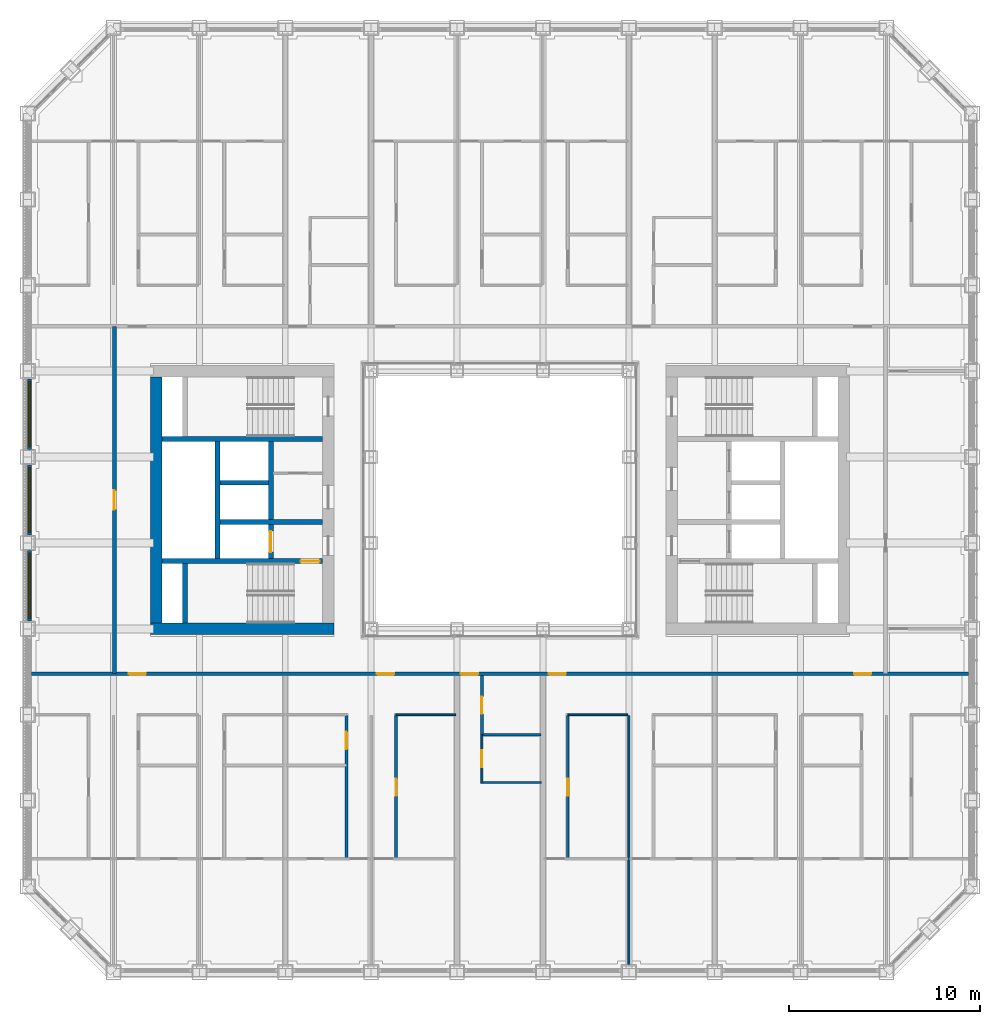
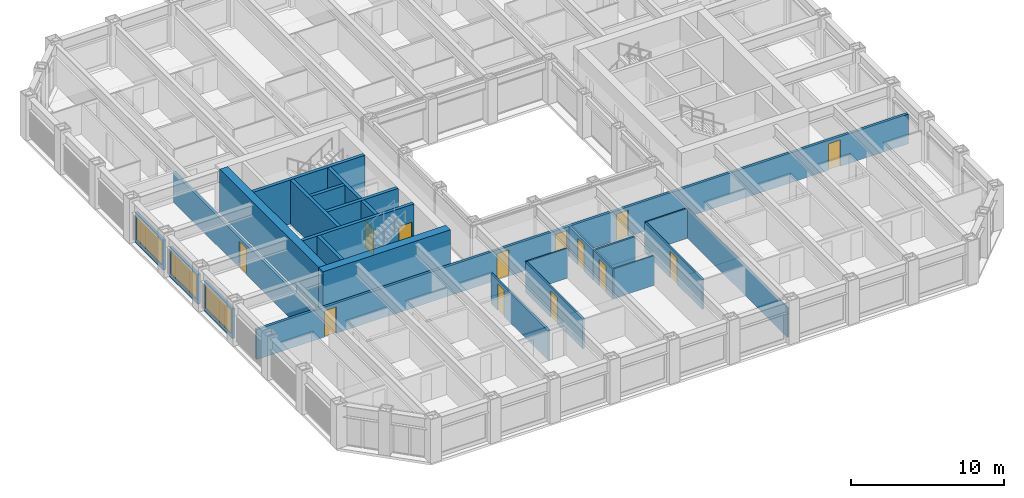
# One storey, part 10 of 20: 24 walls, 13 doors, 3 windows, 16 openings.
"""IFC4 building model written with IfcOpenShell, lengths in metres."""

from ifc_helpers import new_model, si_unit, direction, frame, frame_2d, origin, place, context, subcontext, project, spatial, rectangle, extrude, material, layer, layer_set, type_object, element, fill, save


model = new_model("IFC4")

# Units and contexts
model_context = context("Model", 3, precision=1e-05, world=origin(), true_north=direction((0.0, 1.0)))
body_context = subcontext(model_context, "Body", "Model", "MODEL_VIEW")
ifc_project = project(units=[si_unit("LENGTHUNIT", "METRE"), si_unit("AREAUNIT", "SQUARE_METRE"), si_unit("VOLUMEUNIT", "CUBIC_METRE"), si_unit("PLANEANGLEUNIT", "RADIAN"), si_unit("MASSUNIT", "GRAM", prefix="KILO")], contexts=[model_context])

# Site, building, storey
site_placement = place(None, origin())
site = spatial("IfcSite", under=ifc_project, at=site_placement, CompositionType="ELEMENT")
building_placement = place(site_placement, origin())
building = spatial("IfcBuilding", under=site, at=building_placement, Name="Msasa Ring Tower", CompositionType="ELEMENT")
storey_placement = place(building_placement, frame((0.0, 0.0, 58.0)))
storey = spatial("IfcBuildingStorey", under=building, at=storey_placement, Name="L14", CompositionType="ELEMENT", Elevation=58.0)

# Walls
ifc_material_1 = material(Name="Concrete C60/75", Category="concrete")
ifc_layer_1 = layer(ifc_material_1, 0.60009765625)
ifc_layer_set_1 = layer_set([ifc_layer_1], Name="CW1 CORE WALL 600")
wall_type_1 = type_object("IfcWallType", Name="CW1 CORE WALL 600", PredefinedType="SHEAR", material=ifc_layer_set_1)
wall_1_placement = place(storey_placement, frame((-8.699951171875, -6.75, 0.0), z_axis=(0.0, 0.0, 1.0), x_axis=(-1.0, 0.0, 0.0)))
element("IfcWall", 1, at=wall_1_placement, inside=storey, type_object=wall_type_1, Name="W core wall S L14", PredefinedType="SHEAR", context=body_context, shape_type="SweptSolid", body=[
    extrude(rectangle(XDim=9.60009765625, YDim=0.60009765625, at=frame_2d((4.800048828125, 0.0))), origin(), (0.0, 0.0, 1.0), 3.5),
])
wall_2_placement = place(storey_placement, frame((-18.0, -6.449951171875, 0.0), z_axis=(0.0, 0.0, 1.0), x_axis=(0.0, 1.0, 0.0)))
element("IfcWall", 2, at=wall_2_placement, inside=storey, type_object=wall_type_1, Name="W core wall E L14", PredefinedType="SHEAR", context=body_context, shape_type="SweptSolid", body=[
    extrude(rectangle(XDim=12.89990234375, YDim=0.60009765625, at=frame_2d((6.449951171875, 0.0))), origin(), (0.0, 0.0, 1.0), 3.5),
])

# Wall, opening, door
ifc_material_2 = material(Name="Concrete C60/75", Category="concrete")
ifc_layer_2 = layer(ifc_material_2, 0.25)
ifc_layer_set_2 = layer_set([ifc_layer_2], Name="CW4 CORE INNER WALL 250")
wall_type_2 = type_object("IfcWallType", Name="CW4 CORE INNER WALL 250", PredefinedType="SHEAR", material=ifc_layer_set_2)
wall_3_placement = place(storey_placement, frame((-9.300048828125, -3.199951171875, 0.0), z_axis=(0.0, 0.0, 1.0), x_axis=(-1.0, 0.0, 0.0)))
wall_3 = element("IfcWall", 3, at=wall_3_placement, inside=storey, type_object=wall_type_2, Name="W core wall STAIRA L14", PredefinedType="SHEAR", context=body_context, shape_type="SweptSolid", body=[
    extrude(rectangle(XDim=8.39990234375, YDim=0.25, at=frame_2d((4.199951171875, 0.0))), origin(), (0.0, 0.0, 1.0), 3.5),
])
opening_1_placement = place(wall_3_placement, frame((0.14990234375, 0.0, 0.0)))
opening_1 = element("IfcOpeningElement", 4, at=opening_1_placement, cuts=wall_3, Name="Opening RD-044", PredefinedType="OPENING", context=body_context, shape_type="SweptSolid", body=[
    extrude(rectangle(XDim=1.0, YDim=2.10009765625, at=frame_2d((0.5, 1.050048828125))), frame((0.0, 0.135009765625, 0.0), z_axis=(0.0, -1.0, 0.0), x_axis=(1.0, 0.0, 0.0)), (0.0, 0.0, 1.0), 0.27001953125),
])
ifc_material_3 = material(Name="Timber door leaf in a steel frame", Category="steel")
door_type_1 = type_object("IfcDoorType", Name="D6 STAIR DOOR 1000x2100", OperationType="SINGLE_SWING_LEFT", PredefinedType="DOOR", material=ifc_material_3)
door_1_placement = place(opening_1_placement, origin())
door_1 = element("IfcDoor", 5, at=door_1_placement, inside=storey, type_object=door_type_1, Name="Door L14-WSTA", OperationType="SINGLE_SWING_LEFT", OverallHeight=2.10009765625, OverallWidth=1.0, PredefinedType="DOOR", context=body_context, shape_type="SweptSolid", body=[
    extrude(rectangle(XDim=1.0, YDim=2.10009765625, at=frame_2d((0.5, 1.050048828125))), frame((0.0, 0.02490234375, 0.0), z_axis=(0.0, -1.0, 0.0), x_axis=(1.0, 0.0, 0.0)), (0.0, 0.0, 1.0), 0.050048828125),
])
fill(opening_1, door_1)

# Walls
wall_4_placement = place(storey_placement, frame((-9.300048828125, 3.199951171875, 0.0), z_axis=(0.0, 0.0, 1.0), x_axis=(-1.0, 0.0, 0.0)))
element("IfcWall", 6, at=wall_4_placement, inside=storey, type_object=wall_type_2, Name="W core wall STAIRB L14", PredefinedType="SHEAR", context=body_context, shape_type="SweptSolid", body=[
    extrude(rectangle(XDim=8.39990234375, YDim=0.25, at=frame_2d((4.199951171875, 0.0))), origin(), (0.0, 0.0, 1.0), 3.5),
])
wall_5_placement = place(storey_placement, frame((-16.5, -6.449951171875, 0.0), z_axis=(0.0, 0.0, 1.0), x_axis=(0.0, 1.0, 0.0)))
element("IfcWall", 7, at=wall_5_placement, inside=storey, type_object=wall_type_2, Name="W core wall RISERA L14", PredefinedType="SHEAR", context=body_context, shape_type="SweptSolid", body=[
    extrude(rectangle(XDim=3.125, YDim=0.25, at=frame_2d((1.5625, 0.0))), origin(), (0.0, 0.0, 1.0), 3.5),
])
wall_6_placement = place(storey_placement, frame((-9.300048828125, -1.14990234375, 0.0), z_axis=(0.0, 0.0, 1.0), x_axis=(-1.0, 0.0, 0.0)))
element("IfcWall", 8, at=wall_6_placement, inside=storey, type_object=wall_type_2, Name="W core wall FFL L14", PredefinedType="SHEAR", context=body_context, shape_type="SweptSolid", body=[
    extrude(rectangle(XDim=5.375, YDim=0.25, at=frame_2d((2.6875, 0.0))), origin(), (0.0, 0.0, 1.0), 3.5),
])

# Wall, opening, door
wall_7_placement = place(storey_placement, frame((-12.0, -3.074951171875, 0.0), z_axis=(0.0, 0.0, 1.0), x_axis=(0.0, 1.0, 0.0)))
wall_7 = element("IfcWall", 9, at=wall_7_placement, inside=storey, type_object=wall_type_2, Name="W core wall LOBBY L14", PredefinedType="SHEAR", context=body_context, shape_type="SweptSolid", body=[
    extrude(rectangle(XDim=6.14990234375, YDim=0.25, at=frame_2d((3.074951171875, 0.0))), origin(), (0.0, 0.0, 1.0), 3.5),
])
opening_2_placement = place(wall_7_placement, frame((0.35009765625, 0.0, 0.0)))
opening_2 = element("IfcOpeningElement", 10, at=opening_2_placement, cuts=wall_7, Name="Opening LD1", PredefinedType="OPENING", context=body_context, shape_type="SweptSolid", body=[
    extrude(rectangle(XDim=1.10009765625, YDim=2.10009765625, at=frame_2d((0.550048828125, 1.050048828125))), frame((0.0, 0.135009765625, 0.0), z_axis=(0.0, -1.0, 0.0), x_axis=(1.0, 0.0, 0.0)), (0.0, 0.0, 1.0), 0.27001953125),
])
ifc_material_4 = material(Name="Stainless steel lift landing door", Category="steel")
door_type_2 = type_object("IfcDoorType", Name="LD1 LIFT LANDING DOOR 1100x2100", OperationType="DOUBLE_DOOR_SLIDING", PredefinedType="DOOR", material=ifc_material_4)
door_2_placement = place(opening_2_placement, origin())
door_2 = element("IfcDoor", 11, at=door_2_placement, inside=storey, type_object=door_type_2, Name="Lift landing door FL-W L14", OperationType="DOUBLE_DOOR_SLIDING", OverallHeight=2.10009765625, OverallWidth=1.10009765625, PredefinedType="DOOR", context=body_context, shape_type="SweptSolid", body=[
    extrude(rectangle(XDim=1.10009765625, YDim=2.10009765625, at=frame_2d((0.550048828125, 1.050048828125))), frame((0.0, 0.02490234375, 0.0), z_axis=(0.0, -1.0, 0.0), x_axis=(1.0, 0.0, 0.0)), (0.0, 0.0, 1.0), 0.050048828125),
])
fill(opening_2, door_2)

# Walls
wall_8_placement = place(storey_placement, frame((-14.800048828125, -3.074951171875, 0.0), z_axis=(0.0, 0.0, 1.0), x_axis=(0.0, 1.0, 0.0)))
element("IfcWall", 12, at=wall_8_placement, inside=storey, type_object=wall_type_2, Name="W core wall SHAFT L14", PredefinedType="SHEAR", context=body_context, shape_type="SweptSolid", body=[
    extrude(rectangle(XDim=6.14990234375, YDim=0.25, at=frame_2d((3.074951171875, 0.0))), origin(), (0.0, 0.0, 1.0), 3.5),
])
wall_9_placement = place(storey_placement, frame((-12.125, 0.89990234375, 0.0), z_axis=(0.0, 0.0, 1.0), x_axis=(-1.0, 0.0, 0.0)))
element("IfcWall", 13, at=wall_9_placement, inside=storey, type_object=wall_type_2, Name="W core wall LIFT1 L14", PredefinedType="SHEAR", context=body_context, shape_type="SweptSolid", body=[
    extrude(rectangle(XDim=2.550048828125, YDim=0.25, at=frame_2d((1.27490234375, 0.0))), origin(), (0.0, 0.0, 1.0), 3.5),
])

# Wall, opening, window
ifc_material_5 = material(Name="Terracotta rainscreen on blockwork", Category="masonry")
ifc_layer_3 = layer(ifc_material_5, 0.199951171875)
ifc_layer_set_3 = layer_set([ifc_layer_3], Name="FW1 TERRACOTTA-LINED INFILL BAY WALL 200")
wall_type_3 = type_object("IfcWallType", Name="FW1 TERRACOTTA-LINED INFILL BAY WALL 200", PredefinedType="SOLIDWALL", material=ifc_layer_set_3)
wall_10_placement = place(storey_placement, frame((-24.64990234375, -6.344970703125, 0.0), z_axis=(0.0, 0.0, 1.0), x_axis=(0.0, 1.0, 0.0)))
wall_10 = element("IfcWall", 14, at=wall_10_placement, inside=storey, type_object=wall_type_3, Name="Infill bay wall W L14 36", PredefinedType="SOLIDWALL", context=body_context, shape_type="SweptSolid", body=[
    extrude(rectangle(XDim=3.68994140625, YDim=0.199951171875, at=frame_2d((1.844970703125, 0.0))), origin(), (0.0, 0.0, 1.0), 2.37890625),
])
opening_3_placement = place(wall_10_placement, frame((0.14501953125, 0.0, 0.300048828125)))
opening_3 = element("IfcOpeningElement", 15, at=opening_3_placement, cuts=wall_10, Name="Opening WN1", PredefinedType="OPENING", context=body_context, shape_type="SweptSolid", body=[
    extrude(rectangle(XDim=3.39990234375, YDim=1.928955078125, at=frame_2d((1.699951171875, 0.96435546875))), frame((0.0, 0.10986328125, 0.0), z_axis=(0.0, -1.0, 0.0), x_axis=(1.0, 0.0, 0.0)), (0.0, 0.0, 1.0), 0.219970703125),
])
ifc_material_6 = material(Name="Aluminium frame with clear glass", Category="aluminium")
window_type = type_object("IfcWindowType", Name="WN1 RESIDENCE WINDOW 3400x1929", PartitioningType="SINGLE_PANEL", PredefinedType="WINDOW", material=ifc_material_6)
window_1_placement = place(opening_3_placement, origin())
window_1 = element("IfcWindow", 16, at=window_1_placement, inside=storey, type_object=window_type, Name="Window W L14 36", OverallHeight=1.928955078125, OverallWidth=3.39990234375, PartitioningType="SINGLE_PANEL", PredefinedType="WINDOW", context=body_context, shape_type="SweptSolid", body=[
    extrude(rectangle(XDim=3.39990234375, YDim=1.928955078125, at=frame_2d((1.699951171875, 0.96435546875))), frame((0.0, 0.030029296875, 0.0), z_axis=(0.0, -1.0, 0.0), x_axis=(1.0, 0.0, 0.0)), (0.0, 0.0, 1.0), 0.06005859375),
])
fill(opening_3, window_1)

wall_11_placement = place(storey_placement, frame((-24.64990234375, -1.844970703125, 0.0), z_axis=(0.0, 0.0, 1.0), x_axis=(0.0, 1.0, 0.0)))
wall_11 = element("IfcWall", 17, at=wall_11_placement, inside=storey, type_object=wall_type_3, Name="Infill bay wall W L14 37", PredefinedType="SOLIDWALL", context=body_context, shape_type="SweptSolid", body=[
    extrude(rectangle(XDim=3.68994140625, YDim=0.199951171875, at=frame_2d((1.844970703125, 0.0))), origin(), (0.0, 0.0, 1.0), 2.37890625),
])
opening_4_placement = place(wall_11_placement, frame((0.14501953125, 0.0, 0.300048828125)))
opening_4 = element("IfcOpeningElement", 18, at=opening_4_placement, cuts=wall_11, Name="Opening WN1", PredefinedType="OPENING", context=body_context, shape_type="SweptSolid", body=[
    extrude(rectangle(XDim=3.39990234375, YDim=1.928955078125, at=frame_2d((1.699951171875, 0.96435546875))), frame((0.0, 0.10986328125, 0.0), z_axis=(0.0, -1.0, 0.0), x_axis=(1.0, 0.0, 0.0)), (0.0, 0.0, 1.0), 0.219970703125),
])
window_2_placement = place(opening_4_placement, origin())
window_2 = element("IfcWindow", 19, at=window_2_placement, inside=storey, type_object=window_type, Name="Window W L14 37", OverallHeight=1.928955078125, OverallWidth=3.39990234375, PartitioningType="SINGLE_PANEL", PredefinedType="WINDOW", context=body_context, shape_type="SweptSolid", body=[
    extrude(rectangle(XDim=3.39990234375, YDim=1.928955078125, at=frame_2d((1.699951171875, 0.96435546875))), frame((0.0, 0.030029296875, 0.0), z_axis=(0.0, -1.0, 0.0), x_axis=(1.0, 0.0, 0.0)), (0.0, 0.0, 1.0), 0.06005859375),
])
fill(opening_4, window_2)

wall_12_placement = place(storey_placement, frame((-24.64990234375, 2.655029296875, 0.0), z_axis=(0.0, 0.0, 1.0), x_axis=(0.0, 1.0, 0.0)))
wall_12 = element("IfcWall", 20, at=wall_12_placement, inside=storey, type_object=wall_type_3, Name="Infill bay wall W L14 38", PredefinedType="SOLIDWALL", context=body_context, shape_type="SweptSolid", body=[
    extrude(rectangle(XDim=3.68994140625, YDim=0.199951171875, at=frame_2d((1.844970703125, 0.0))), origin(), (0.0, 0.0, 1.0), 2.37890625),
])
opening_5_placement = place(wall_12_placement, frame((0.14501953125, 0.0, 0.300048828125)))
opening_5 = element("IfcOpeningElement", 21, at=opening_5_placement, cuts=wall_12, Name="Opening WN1", PredefinedType="OPENING", context=body_context, shape_type="SweptSolid", body=[
    extrude(rectangle(XDim=3.39990234375, YDim=1.928955078125, at=frame_2d((1.699951171875, 0.96435546875))), frame((0.0, 0.10986328125, 0.0), z_axis=(0.0, -1.0, 0.0), x_axis=(1.0, 0.0, 0.0)), (0.0, 0.0, 1.0), 0.219970703125),
])
window_3_placement = place(opening_5_placement, origin())
window_3 = element("IfcWindow", 22, at=window_3_placement, inside=storey, type_object=window_type, Name="Window W L14 38", OverallHeight=1.928955078125, OverallWidth=3.39990234375, PartitioningType="SINGLE_PANEL", PredefinedType="WINDOW", context=body_context, shape_type="SweptSolid", body=[
    extrude(rectangle(XDim=3.39990234375, YDim=1.928955078125, at=frame_2d((1.699951171875, 0.96435546875))), frame((0.0, 0.030029296875, 0.0), z_axis=(0.0, -1.0, 0.0), x_axis=(1.0, 0.0, 0.0)), (0.0, 0.0, 1.0), 0.06005859375),
])
fill(opening_5, window_3)

# Wall, openings, doors
ifc_material_7 = material(Name="Concrete blockwork", Category="masonry")
ifc_layer_4 = layer(ifc_material_7, 0.199951171875)
ifc_layer_set_4 = layer_set([ifc_layer_4], Name="PT1 CORRIDOR WALL 200")
wall_type_4 = type_object("IfcWallType", Name="PT1 CORRIDOR WALL 200", PredefinedType="PARTITIONING", material=ifc_layer_set_4)
wall_13_placement = place(storey_placement, frame((-24.550048828125, -9.10009765625, 0.0), z_axis=(0.0, 0.0, 1.0), x_axis=(1.0, 0.0, 0.0)))
wall_13 = element("IfcWall", 23, at=wall_13_placement, inside=storey, type_object=wall_type_4, Name="Corridor wall L14-CORRS0", PredefinedType="PARTITIONING", context=body_context, shape_type="SweptSolid", body=[
    extrude(rectangle(XDim=49.10009765625, YDim=0.199951171875, at=frame_2d((24.550048828125, 0.0))), origin(), (0.0, 0.0, 1.0), 2.373291015625),
])
opening_6_placement = place(wall_13_placement, frame((5.10009765625, 0.0, 0.0)))
opening_6 = element("IfcOpeningElement", 24, at=opening_6_placement, cuts=wall_13, Name="Opening RD-047", PredefinedType="OPENING", context=body_context, shape_type="SweptSolid", body=[
    extrude(rectangle(XDim=0.89990234375, YDim=2.10009765625, at=frame_2d((0.449951171875, 1.050048828125))), frame((0.0, 0.10986328125, 0.0), z_axis=(0.0, -1.0, 0.0), x_axis=(1.0, 0.0, 0.0)), (0.0, 0.0, 1.0), 0.219970703125),
])
opening_7_placement = place(wall_13_placement, frame((18.10009765625, 0.0, 0.0)))
opening_7 = element("IfcOpeningElement", 25, at=opening_7_placement, cuts=wall_13, Name="Opening RD-048", PredefinedType="OPENING", context=body_context, shape_type="SweptSolid", body=[
    extrude(rectangle(XDim=0.89990234375, YDim=2.10009765625, at=frame_2d((0.449951171875, 1.050048828125))), frame((0.0, 0.10986328125, 0.0), z_axis=(0.0, -1.0, 0.0), x_axis=(1.0, 0.0, 0.0)), (0.0, 0.0, 1.0), 0.219970703125),
])
opening_8_placement = place(wall_13_placement, frame((22.5, 0.0, 0.0)))
opening_8 = element("IfcOpeningElement", 26, at=opening_8_placement, cuts=wall_13, Name="Opening RD-049", PredefinedType="OPENING", context=body_context, shape_type="SweptSolid", body=[
    extrude(rectangle(XDim=0.89990234375, YDim=2.10009765625, at=frame_2d((0.449951171875, 1.050048828125))), frame((0.0, 0.10986328125, 0.0), z_axis=(0.0, -1.0, 0.0), x_axis=(1.0, 0.0, 0.0)), (0.0, 0.0, 1.0), 0.219970703125),
])
opening_9_placement = place(wall_13_placement, frame((27.10009765625, 0.0, 0.0)))
opening_9 = element("IfcOpeningElement", 27, at=opening_9_placement, cuts=wall_13, Name="Opening RD-050", PredefinedType="OPENING", context=body_context, shape_type="SweptSolid", body=[
    extrude(rectangle(XDim=0.89990234375, YDim=2.10009765625, at=frame_2d((0.449951171875, 1.050048828125))), frame((0.0, 0.10986328125, 0.0), z_axis=(0.0, -1.0, 0.0), x_axis=(1.0, 0.0, 0.0)), (0.0, 0.0, 1.0), 0.219970703125),
])
opening_10_placement = place(wall_13_placement, frame((43.10009765625, 0.0, 0.0)))
opening_10 = element("IfcOpeningElement", 28, at=opening_10_placement, cuts=wall_13, Name="Opening RD-051", PredefinedType="OPENING", context=body_context, shape_type="SweptSolid", body=[
    extrude(rectangle(XDim=0.89990234375, YDim=2.10009765625, at=frame_2d((0.449951171875, 1.050048828125))), frame((0.0, 0.10986328125, 0.0), z_axis=(0.0, -1.0, 0.0), x_axis=(1.0, 0.0, 0.0)), (0.0, 0.0, 1.0), 0.219970703125),
])
ifc_material_8 = material(Name="Timber door leaf in a steel frame", Category="steel")
door_type_3 = type_object("IfcDoorType", Name="D2 ENTRANCE DOOR 900x2100", OperationType="SINGLE_SWING_LEFT", PredefinedType="DOOR", material=ifc_material_8)
door_3_placement = place(opening_6_placement, origin())
door_3 = element("IfcDoor", 29, at=door_3_placement, inside=storey, type_object=door_type_3, Name="Door L14-US00", OperationType="SINGLE_SWING_LEFT", OverallHeight=2.10009765625, OverallWidth=0.89990234375, PredefinedType="DOOR", context=body_context, shape_type="SweptSolid", body=[
    extrude(rectangle(XDim=0.89990234375, YDim=2.10009765625, at=frame_2d((0.449951171875, 1.050048828125))), frame((0.0, 0.02490234375, 0.0), z_axis=(0.0, -1.0, 0.0), x_axis=(1.0, 0.0, 0.0)), (0.0, 0.0, 1.0), 0.050048828125),
])
fill(opening_6, door_3)
door_4_placement = place(opening_7_placement, origin())
door_4 = element("IfcDoor", 30, at=door_4_placement, inside=storey, type_object=door_type_3, Name="Door L14-US01", OperationType="SINGLE_SWING_LEFT", OverallHeight=2.10009765625, OverallWidth=0.89990234375, PredefinedType="DOOR", context=body_context, shape_type="SweptSolid", body=[
    extrude(rectangle(XDim=0.89990234375, YDim=2.10009765625, at=frame_2d((0.449951171875, 1.050048828125))), frame((0.0, 0.02490234375, 0.0), z_axis=(0.0, -1.0, 0.0), x_axis=(1.0, 0.0, 0.0)), (0.0, 0.0, 1.0), 0.050048828125),
])
fill(opening_7, door_4)
door_5_placement = place(opening_8_placement, origin())
door_5 = element("IfcDoor", 31, at=door_5_placement, inside=storey, type_object=door_type_3, Name="Door L14-US02", OperationType="SINGLE_SWING_LEFT", OverallHeight=2.10009765625, OverallWidth=0.89990234375, PredefinedType="DOOR", context=body_context, shape_type="SweptSolid", body=[
    extrude(rectangle(XDim=0.89990234375, YDim=2.10009765625, at=frame_2d((0.449951171875, 1.050048828125))), frame((0.0, 0.02490234375, 0.0), z_axis=(0.0, -1.0, 0.0), x_axis=(1.0, 0.0, 0.0)), (0.0, 0.0, 1.0), 0.050048828125),
])
fill(opening_8, door_5)
door_6_placement = place(opening_9_placement, origin())
door_6 = element("IfcDoor", 32, at=door_6_placement, inside=storey, type_object=door_type_3, Name="Door L14-US03", OperationType="SINGLE_SWING_RIGHT", OverallHeight=2.10009765625, OverallWidth=0.89990234375, PredefinedType="DOOR", context=body_context, shape_type="SweptSolid", body=[
    extrude(rectangle(XDim=0.89990234375, YDim=2.10009765625, at=frame_2d((0.449951171875, 1.050048828125))), frame((0.0, 0.02490234375, 0.0), z_axis=(0.0, -1.0, 0.0), x_axis=(1.0, 0.0, 0.0)), (0.0, 0.0, 1.0), 0.050048828125),
])
fill(opening_9, door_6)
door_7_placement = place(opening_10_placement, origin())
door_7 = element("IfcDoor", 33, at=door_7_placement, inside=storey, type_object=door_type_3, Name="Door L14-US04", OperationType="SINGLE_SWING_RIGHT", OverallHeight=2.10009765625, OverallWidth=0.89990234375, PredefinedType="DOOR", context=body_context, shape_type="SweptSolid", body=[
    extrude(rectangle(XDim=0.89990234375, YDim=2.10009765625, at=frame_2d((0.449951171875, 1.050048828125))), frame((0.0, 0.02490234375, 0.0), z_axis=(0.0, -1.0, 0.0), x_axis=(1.0, 0.0, 0.0)), (0.0, 0.0, 1.0), 0.050048828125),
])
fill(opening_10, door_7)

# Wall, opening, door
wall_14_placement = place(storey_placement, frame((-20.199951171875, -9.10009765625, 0.0), z_axis=(0.0, 0.0, 1.0), x_axis=(0.0, 1.0, 0.0)))
wall_14 = element("IfcWall", 34, at=wall_14_placement, inside=storey, type_object=wall_type_4, Name="Corridor wall L14-STRW", PredefinedType="PARTITIONING", context=body_context, shape_type="SweptSolid", body=[
    extrude(rectangle(XDim=18.2001953125, YDim=0.199951171875, at=frame_2d((9.10009765625, 0.0))), origin(), (0.0, 0.0, 1.0), 2.373291015625),
])
opening_11_placement = place(wall_14_placement, frame((8.60009765625, 0.0, 0.0)))
opening_11 = element("IfcOpeningElement", 35, at=opening_11_placement, cuts=wall_14, Name="Opening RD-040", PredefinedType="OPENING", context=body_context, shape_type="SweptSolid", body=[
    extrude(rectangle(XDim=1.0, YDim=2.10009765625, at=frame_2d((0.5, 1.050048828125))), frame((0.0, 0.10986328125, 0.0), z_axis=(0.0, -1.0, 0.0), x_axis=(1.0, 0.0, 0.0)), (0.0, 0.0, 1.0), 0.219970703125),
])
ifc_material_9 = material(Name="Timber door leaf in a steel frame", Category="steel")
door_type_4 = type_object("IfcDoorType", Name="D10 STORE DOOR 1000x2100", OperationType="SINGLE_SWING_LEFT", PredefinedType="DOOR", material=ifc_material_9)
door_8_placement = place(opening_11_placement, origin())
door_8 = element("IfcDoor", 36, at=door_8_placement, inside=storey, type_object=door_type_4, Name="Door L14-RSW", OperationType="SINGLE_SWING_LEFT", OverallHeight=2.10009765625, OverallWidth=1.0, PredefinedType="DOOR", context=body_context, shape_type="SweptSolid", body=[
    extrude(rectangle(XDim=1.0, YDim=2.10009765625, at=frame_2d((0.5, 1.050048828125))), frame((0.0, 0.02490234375, 0.0), z_axis=(0.0, -1.0, 0.0), x_axis=(1.0, 0.0, 0.0)), (0.0, 0.0, 1.0), 0.050048828125),
])
fill(opening_11, door_8)

# Walls
ifc_material_10 = material(Name="Gypsum board on steel studs", Category="steel")
ifc_layer_5 = layer(ifc_material_10, 0.10009765625)
ifc_layer_set_5 = layer_set([ifc_layer_5], Name="PT2 STUD PARTITION 100")
wall_type_5 = type_object("IfcWallType", Name="PT2 STUD PARTITION 100", PredefinedType="PARTITIONING", material=ifc_layer_set_5)
wall_15_placement = place(storey_placement, frame((-5.449951171875, -11.25, 0.0), z_axis=(0.0, 0.0, 1.0), x_axis=(1.0, 0.0, 0.0)))
element("IfcWall", 37, at=wall_15_placement, inside=storey, type_object=wall_type_5, Name="Partition L14-US01HY0", PredefinedType="PARTITIONING", context=body_context, shape_type="SweptSolid", body=[
    extrude(rectangle(XDim=3.139892578125, YDim=0.10009765625, at=frame_2d((1.56982421875, 0.0))), origin(), (0.0, 0.0, 1.0), 2.373291015625),
])
wall_16_placement = place(storey_placement, frame((-0.89990234375, -14.800048828125, 0.0), z_axis=(0.0, 0.0, 1.0), x_axis=(1.0, 0.0, 0.0)))
element("IfcWall", 38, at=wall_16_placement, inside=storey, type_object=wall_type_5, Name="Partition L14-US02KY", PredefinedType="PARTITIONING", context=body_context, shape_type="SweptSolid", body=[
    extrude(rectangle(XDim=3.0498046875, YDim=0.10009765625, at=frame_2d((1.52490234375, 0.0))), origin(), (0.0, 0.0, 1.0), 2.373291015625),
])

# Wall, opening, door
wall_17_placement = place(storey_placement, frame((-0.949951171875, -14.85009765625, 0.0), z_axis=(0.0, 0.0, 1.0), x_axis=(0.0, 1.0, 0.0)))
wall_17 = element("IfcWall", 39, at=wall_17_placement, inside=storey, type_object=wall_type_5, Name="Partition L14-US02KX", PredefinedType="PARTITIONING", context=body_context, shape_type="SweptSolid", body=[
    extrude(rectangle(XDim=2.550048828125, YDim=0.10009765625, at=frame_2d((1.27490234375, 0.0))), origin(), (0.0, 0.0, 1.0), 2.373291015625),
])
opening_12_placement = place(wall_17_placement, frame((0.840087890625, 0.0, 0.0)))
opening_12 = element("IfcOpeningElement", 40, at=opening_12_placement, cuts=wall_17, Name="Opening RD-059", PredefinedType="OPENING", context=body_context, shape_type="SweptSolid", body=[
    extrude(rectangle(XDim=0.89990234375, YDim=2.10009765625, at=frame_2d((0.449951171875, 1.050048828125))), frame((0.0, 0.06005859375, 0.0), z_axis=(0.0, -1.0, 0.0), x_axis=(1.0, 0.0, 0.0)), (0.0, 0.0, 1.0), 0.1201171875),
])
ifc_material_11 = material(Name="Timber door leaf in a steel frame", Category="steel")
door_type_5 = type_object("IfcDoorType", Name="D22 INTERNAL HALL DOOR 900x2100", OperationType="SINGLE_SWING_LEFT", PredefinedType="DOOR", material=ifc_material_11)
door_9_placement = place(opening_12_placement, origin())
door_9 = element("IfcDoor", 41, at=door_9_placement, inside=storey, type_object=door_type_5, Name="Door L14-US02K", OperationType="SINGLE_SWING_LEFT", OverallHeight=2.10009765625, OverallWidth=0.89990234375, PredefinedType="DOOR", context=body_context, shape_type="SweptSolid", body=[
    extrude(rectangle(XDim=0.89990234375, YDim=2.10009765625, at=frame_2d((0.449951171875, 1.050048828125))), frame((0.0, 0.02490234375, 0.0), z_axis=(0.0, -1.0, 0.0), x_axis=(1.0, 0.0, 0.0)), (0.0, 0.0, 1.0), 0.050048828125),
])
fill(opening_12, door_9)

# Walls
wall_18_placement = place(storey_placement, frame((3.550048828125, -11.25, 0.0), z_axis=(0.0, 0.0, 1.0), x_axis=(1.0, 0.0, 0.0)))
element("IfcWall", 42, at=wall_18_placement, inside=storey, type_object=wall_type_5, Name="Partition L14-US03HY0", PredefinedType="PARTITIONING", context=body_context, shape_type="SweptSolid", body=[
    extrude(rectangle(XDim=3.139892578125, YDim=0.10009765625, at=frame_2d((1.56982421875, 0.0))), origin(), (0.0, 0.0, 1.0), 2.373291015625),
])
wall_19_placement = place(storey_placement, frame((6.75, -24.35009765625, 0.0), z_axis=(0.0, 0.0, 1.0), x_axis=(0.0, 1.0, 0.0)))
element("IfcWall", 43, at=wall_19_placement, inside=storey, type_object=wall_type_5, Name="Partition L14-US03P1", PredefinedType="PARTITIONING", context=body_context, shape_type="SweptSolid", body=[
    extrude(rectangle(XDim=13.050048828125, YDim=0.10009765625, at=frame_2d((6.52490234375, 0.0))), origin(), (0.0, 0.0, 1.0), 2.373291015625),
])

# Wall, opening, door
ifc_material_12 = material(Name="Moisture-resistant board on steel studs with a concealed cistern and pipe void, tiled", Category="steel")
ifc_layer_6 = layer(ifc_material_12, 0.14990234375)
ifc_layer_set_6 = layer_set([ifc_layer_6], Name="PT4 BATHROOM WET WALL 150")
wall_type_6 = type_object("IfcWallType", Name="PT4 BATHROOM WET WALL 150", PredefinedType="PARTITIONING", material=ifc_layer_set_6)
wall_20_placement = place(storey_placement, frame((-5.449951171875, -18.800048828125, 0.0), z_axis=(0.0, 0.0, 1.0), x_axis=(0.0, 1.0, 0.0)))
wall_20 = element("IfcWall", 44, at=wall_20_placement, inside=storey, type_object=wall_type_6, Name="Partition L14-US01SX0", PredefinedType="PARTITIONING", context=body_context, shape_type="SweptSolid", body=[
    extrude(rectangle(XDim=7.5, YDim=0.14990234375, at=frame_2d((3.75, 0.0))), origin(), (0.0, 0.0, 1.0), 2.373291015625),
])
opening_13_placement = place(wall_20_placement, frame((3.300048828125, 0.0, 0.0)))
opening_13 = element("IfcOpeningElement", 45, at=opening_13_placement, cuts=wall_20, Name="Opening RD-061", PredefinedType="OPENING", context=body_context, shape_type="SweptSolid", body=[
    extrude(rectangle(XDim=0.89990234375, YDim=2.10009765625, at=frame_2d((0.449951171875, 1.050048828125))), frame((0.0, 0.0849609375, 0.0), z_axis=(0.0, -1.0, 0.0), x_axis=(1.0, 0.0, 0.0)), (0.0, 0.0, 1.0), 0.169921875),
])
door_10_placement = place(opening_13_placement, origin())
door_10 = element("IfcDoor", 46, at=door_10_placement, inside=storey, type_object=door_type_5, Name="Door L14-US01K", OperationType="SINGLE_SWING_LEFT", OverallHeight=2.10009765625, OverallWidth=0.89990234375, PredefinedType="DOOR", context=body_context, shape_type="SweptSolid", body=[
    extrude(rectangle(XDim=0.89990234375, YDim=2.10009765625, at=frame_2d((0.449951171875, 1.050048828125))), frame((0.0, 0.02490234375, 0.0), z_axis=(0.0, -1.0, 0.0), x_axis=(1.0, 0.0, 0.0)), (0.0, 0.0, 1.0), 0.050048828125),
])
fill(opening_13, door_10)

wall_21_placement = place(storey_placement, frame((-8.050048828125, -18.800048828125, 0.0), z_axis=(0.0, 0.0, 1.0), x_axis=(0.0, 1.0, 0.0)))
wall_21 = element("IfcWall", 47, at=wall_21_placement, inside=storey, type_object=wall_type_6, Name="Partition L14-US01SX1", PredefinedType="PARTITIONING", context=body_context, shape_type="SweptSolid", body=[
    extrude(rectangle(XDim=7.5, YDim=0.14990234375, at=frame_2d((3.75, 0.0))), origin(), (0.0, 0.0, 1.0), 2.373291015625),
])
opening_14_placement = place(wall_21_placement, frame((5.75, 0.0, 0.0)))
opening_14 = element("IfcOpeningElement", 48, at=opening_14_placement, cuts=wall_21, Name="Opening RD-055", PredefinedType="OPENING", context=body_context, shape_type="SweptSolid", body=[
    extrude(rectangle(XDim=0.89990234375, YDim=2.10009765625, at=frame_2d((0.449951171875, 1.050048828125))), frame((0.0, 0.0849609375, 0.0), z_axis=(0.0, -1.0, 0.0), x_axis=(1.0, 0.0, 0.0)), (0.0, 0.0, 1.0), 0.169921875),
])
ifc_material_13 = material(Name="Timber door leaf in a steel frame", Category="steel")
door_type_6 = type_object("IfcDoorType", Name="D3 BATHROOM DOOR 900x2100", OperationType="SINGLE_SWING_LEFT", PredefinedType="DOOR", material=ifc_material_13)
door_11_placement = place(opening_14_placement, origin())
door_11 = element("IfcDoor", 49, at=door_11_placement, inside=storey, type_object=door_type_6, Name="Door L14-US01B1", OperationType="SINGLE_SWING_RIGHT", OverallHeight=2.10009765625, OverallWidth=0.89990234375, PredefinedType="DOOR", context=body_context, shape_type="SweptSolid", body=[
    extrude(rectangle(XDim=0.89990234375, YDim=2.10009765625, at=frame_2d((0.449951171875, 1.050048828125))), frame((0.0, 0.02490234375, 0.0), z_axis=(0.0, -1.0, 0.0), x_axis=(1.0, 0.0, 0.0)), (0.0, 0.0, 1.0), 0.050048828125),
])
fill(opening_14, door_11)

wall_22_placement = place(storey_placement, frame((-0.949951171875, -12.35009765625, 0.0), z_axis=(0.0, 0.0, 1.0), x_axis=(0.0, 1.0, 0.0)))
wall_22 = element("IfcWall", 50, at=wall_22_placement, inside=storey, type_object=wall_type_6, Name="Partition L14-US02BX", PredefinedType="PARTITIONING", context=body_context, shape_type="SweptSolid", body=[
    extrude(rectangle(XDim=3.150146484375, YDim=0.14990234375, at=frame_2d((1.5751953125, 0.0))), origin(), (0.0, 0.0, 1.0), 2.373291015625),
])
opening_15_placement = place(wall_22_placement, frame((1.14990234375, 0.0, 0.0)))
opening_15 = element("IfcOpeningElement", 51, at=opening_15_placement, cuts=wall_22, Name="Opening RD-052", PredefinedType="OPENING", context=body_context, shape_type="SweptSolid", body=[
    extrude(rectangle(XDim=0.89990234375, YDim=2.10009765625, at=frame_2d((0.449951171875, 1.050048828125))), frame((0.0, 0.0849609375, 0.0), z_axis=(0.0, -1.0, 0.0), x_axis=(1.0, 0.0, 0.0)), (0.0, 0.0, 1.0), 0.169921875),
])
door_12_placement = place(opening_15_placement, origin())
door_12 = element("IfcDoor", 52, at=door_12_placement, inside=storey, type_object=door_type_6, Name="Door L14-US02B", OperationType="SINGLE_SWING_LEFT", OverallHeight=2.10009765625, OverallWidth=0.89990234375, PredefinedType="DOOR", context=body_context, shape_type="SweptSolid", body=[
    extrude(rectangle(XDim=0.89990234375, YDim=2.10009765625, at=frame_2d((0.449951171875, 1.050048828125))), frame((0.0, 0.02490234375, 0.0), z_axis=(0.0, -1.0, 0.0), x_axis=(1.0, 0.0, 0.0)), (0.0, 0.0, 1.0), 0.050048828125),
])
fill(opening_15, door_12)

# Wall
wall_23_placement = place(storey_placement, frame((-0.89990234375, -12.300048828125, 0.0), z_axis=(0.0, 0.0, 1.0), x_axis=(1.0, 0.0, 0.0)))
element("IfcWall", 53, at=wall_23_placement, inside=storey, type_object=wall_type_6, Name="Partition L14-US02BY", PredefinedType="PARTITIONING", context=body_context, shape_type="SweptSolid", body=[
    extrude(rectangle(XDim=3.0498046875, YDim=0.14990234375, at=frame_2d((1.52490234375, 0.0))), origin(), (0.0, 0.0, 1.0), 2.373291015625),
])

# Wall, opening, door
wall_24_placement = place(storey_placement, frame((3.550048828125, -18.800048828125, 0.0), z_axis=(0.0, 0.0, 1.0), x_axis=(0.0, 1.0, 0.0)))
wall_24 = element("IfcWall", 54, at=wall_24_placement, inside=storey, type_object=wall_type_6, Name="Partition L14-US03SX0", PredefinedType="PARTITIONING", context=body_context, shape_type="SweptSolid", body=[
    extrude(rectangle(XDim=7.5, YDim=0.14990234375, at=frame_2d((3.75, 0.0))), origin(), (0.0, 0.0, 1.0), 2.373291015625),
])
opening_16_placement = place(wall_24_placement, frame((3.300048828125, 0.0, 0.0)))
opening_16 = element("IfcOpeningElement", 55, at=opening_16_placement, cuts=wall_24, Name="Opening RD-062", PredefinedType="OPENING", context=body_context, shape_type="SweptSolid", body=[
    extrude(rectangle(XDim=0.89990234375, YDim=2.10009765625, at=frame_2d((0.449951171875, 1.050048828125))), frame((0.0, 0.0849609375, 0.0), z_axis=(0.0, -1.0, 0.0), x_axis=(1.0, 0.0, 0.0)), (0.0, 0.0, 1.0), 0.169921875),
])
door_13_placement = place(opening_16_placement, origin())
door_13 = element("IfcDoor", 56, at=door_13_placement, inside=storey, type_object=door_type_5, Name="Door L14-US03K", OperationType="SINGLE_SWING_LEFT", OverallHeight=2.10009765625, OverallWidth=0.89990234375, PredefinedType="DOOR", context=body_context, shape_type="SweptSolid", body=[
    extrude(rectangle(XDim=0.89990234375, YDim=2.10009765625, at=frame_2d((0.449951171875, 1.050048828125))), frame((0.0, 0.02490234375, 0.0), z_axis=(0.0, -1.0, 0.0), x_axis=(1.0, 0.0, 0.0)), (0.0, 0.0, 1.0), 0.050048828125),
])
fill(opening_16, door_13)

save(model, "model.ifc")
